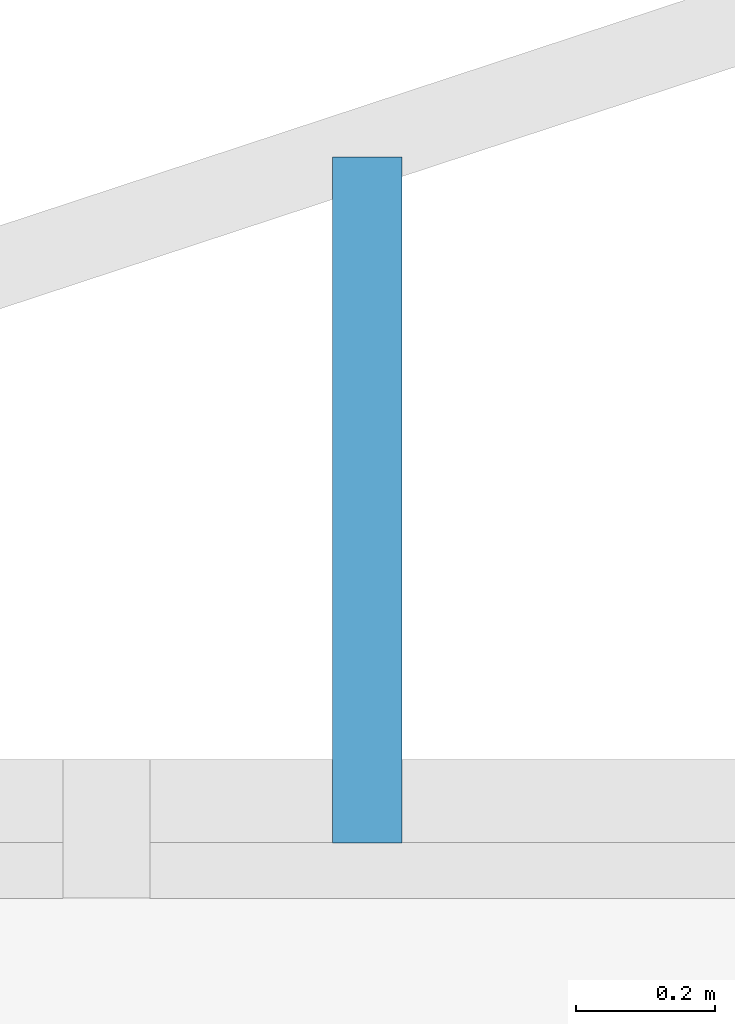
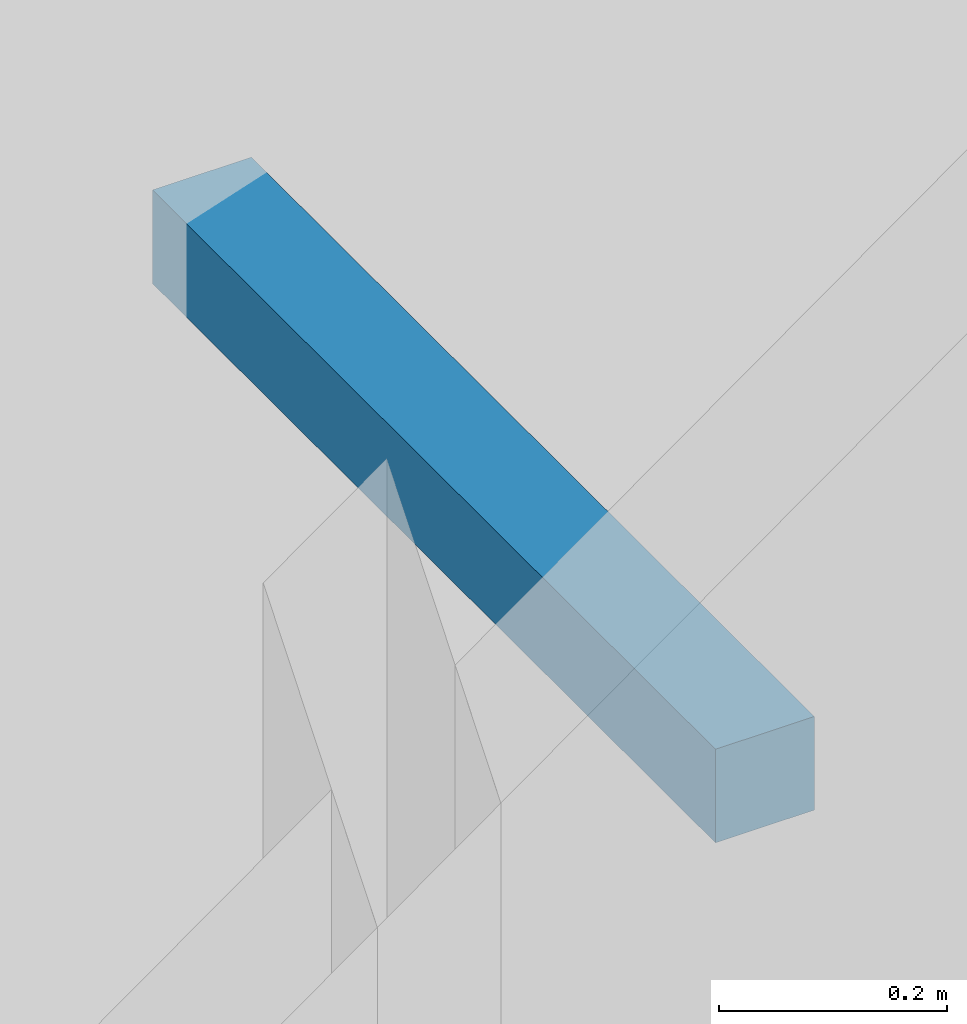
# One storey, part 14 of 21: 1 discrete accessory.
"""IFC4 building model written with IfcOpenShell, lengths in metres."""

from ifc_helpers import new_model, si_unit, direction, frame, origin, origin_2d, place, context, subcontext, project, spatial, rectangle, extrude, material, type_object, element, save


model = new_model("IFC4")

# Units and contexts
model_context = context("Model", 3, precision=1e-05, world=origin(), true_north=direction((0.0, 1.0)))
body_context = subcontext(model_context, "Body", "Model", "MODEL_VIEW")
ifc_project = project(units=[si_unit("LENGTHUNIT", "METRE"), si_unit("AREAUNIT", "SQUARE_METRE"), si_unit("VOLUMEUNIT", "CUBIC_METRE"), si_unit("PLANEANGLEUNIT", "RADIAN"), si_unit("MASSUNIT", "GRAM", prefix="KILO")], contexts=[model_context])

# Site, building, storey
site_placement = place(None, origin())
site = spatial("IfcSite", under=ifc_project, at=site_placement, CompositionType="ELEMENT")
building_placement = place(site_placement, origin())
building = spatial("IfcBuilding", under=site, at=building_placement, Name="Mopane Tessera Tower", CompositionType="ELEMENT")
storey_placement = place(building_placement, frame((0.0, 0.0, 20.0)))
storey = spatial("IfcBuildingStorey", under=building, at=storey_placement, Name="L03", CompositionType="ELEMENT", Elevation=20.0)

# Discrete accessory
ifc_material = material(Name="Stainless steel S316", Category="steel")
discrete_accessory_type = type_object("IfcDiscreteAccessoryType", Name="Louvre bracket 100 x 100", PredefinedType="BRACKET", material=ifc_material)
discrete_accessory_placement = place(storey_placement, frame((20.666748046875, 27.5732421875, 2.280029296875), z_axis=(0.0, 0.0, 1.0), x_axis=(0.0, 1.0, 0.0)))
element("IfcDiscreteAccessory", 1, at=discrete_accessory_placement, inside=storey, type_object=discrete_accessory_type, Name="e:lv:L03:N:0:br0", PredefinedType="BRACKET", context=body_context, shape_type="SweptSolid", body=[
    extrude(rectangle(XDim=0.98681640625, YDim=0.10009765625, at=origin_2d()), origin(), (0.0, 0.0, 1.0), 0.10009765625),
])

save(model, "model.ifc")
